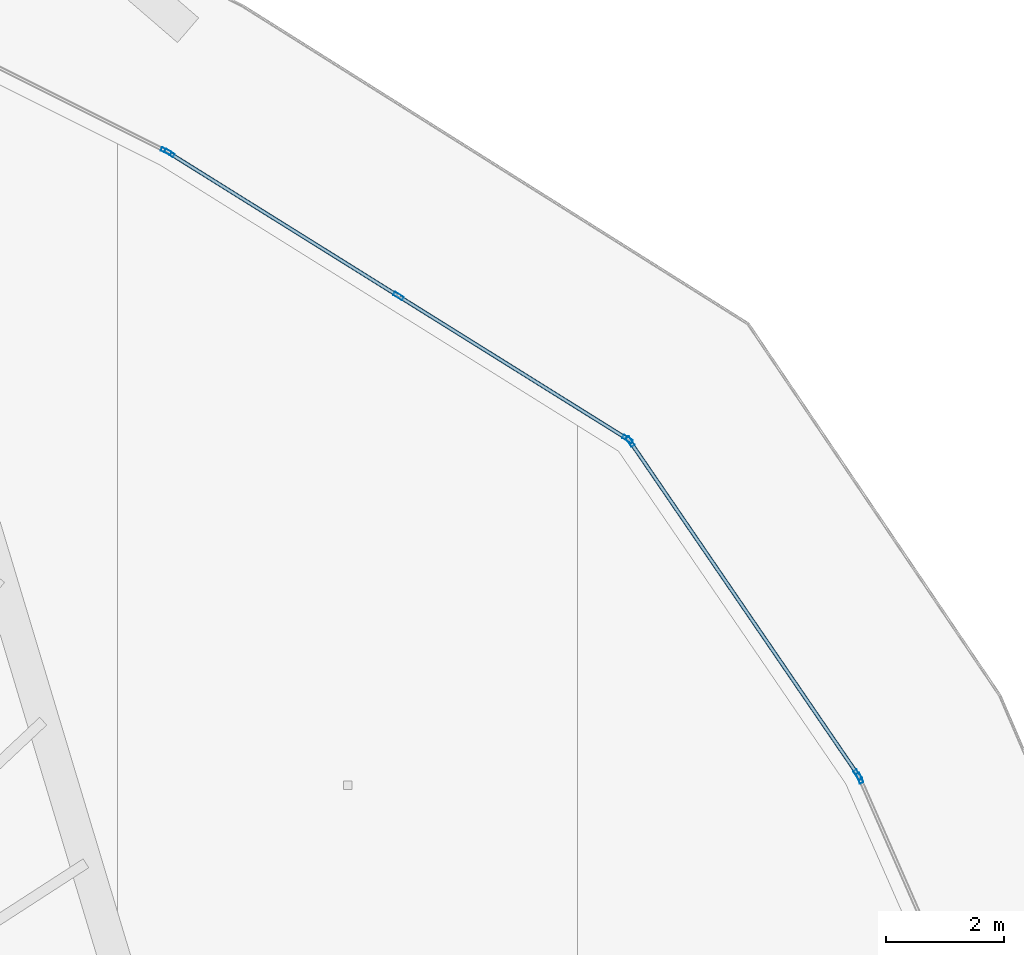
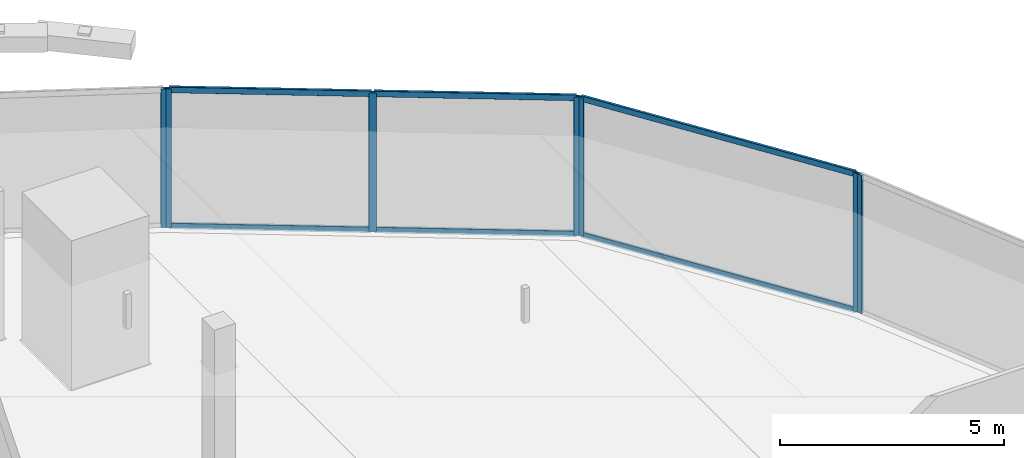
# One storey, part 23 of 42: 13 members, 4 elements without a shape of their own.
"""IFC4 building model written with IfcOpenShell, lengths in metres."""

from ifc_helpers import new_model, si_unit, direction, frame, origin, origin_2d, place, context, subcontext, project, spatial, hollow_rectangle, extrude, material, layer, layer_set, material_profile, profile_set, type_object, element, aggregate, save


model = new_model("IFC4")

# Units and contexts
model_context = context("Model", 3, precision=1e-05, world=origin(), true_north=direction((0.0, 1.0)))
body_context = subcontext(model_context, "Body", "Model", "MODEL_VIEW")
ifc_project = project(units=[si_unit("LENGTHUNIT", "METRE"), si_unit("AREAUNIT", "SQUARE_METRE"), si_unit("VOLUMEUNIT", "CUBIC_METRE"), si_unit("PLANEANGLEUNIT", "RADIAN"), si_unit("MASSUNIT", "GRAM", prefix="KILO")], contexts=[model_context])

# Site, building, storey
site_placement = place(None, origin())
site = spatial("IfcSite", under=ifc_project, at=site_placement, CompositionType="ELEMENT")
building_placement = place(site_placement, origin())
building = spatial("IfcBuilding", under=site, at=building_placement, Name="Qorvath Tower", CompositionType="ELEMENT")
storey_placement = place(building_placement, frame((0.0, 0.0, 117.89990234375)))
storey = spatial("IfcBuildingStorey", under=building, at=storey_placement, Name="L26", CompositionType="ELEMENT", Elevation=117.89990234375)

# Curtain wall, member
ifc_material_1 = material(Name="Anodised aluminium and triple low-E glass", Category="aluminium")
ifc_layer = layer(ifc_material_1, 0.179931640625)
ifc_layer_set = layer_set([ifc_layer], Name="CW-SYS-2")
curtain_wall_type = type_object("IfcCurtainWallType", Name="CW-SYS-2", PredefinedType="NOTDEFINED", material=ifc_layer_set)
curtain_wall_1_placement = place(storey_placement, origin())
curtain_wall_1 = element("IfcCurtainWall", 1, at=curtain_wall_1_placement, inside=storey, type_object=curtain_wall_type, Name="Curtain Wall CW-2 CW-T-L26-12.1", PredefinedType="NOTDEFINED")
ifc_material_2 = material(Name="Anodised aluminium 6063-T6", Category="aluminium")
ifc_material_profile_1 = material_profile(ifc_material_2, hollow_rectangle(XDim=0.06494140625, YDim=0.179931640625, WallThickness=0.00341796875, InnerFilletRadius=0.00341796875, OuterFilletRadius=0.007080078125, at=origin_2d()), Name="CWM 180x65")
ifc_profile_set_1 = profile_set([ifc_material_profile_1], Name="Anodised aluminium 6063-T6")
member_type_1 = type_object("IfcMemberType", Name="CWM-180", PredefinedType="MULLION", material=ifc_profile_set_1)
member_1_placement = place(storey_placement, frame((0.38525390625, 17.982666015625, 0.0), z_axis=(0.0, 0.0, 1.0), x_axis=(-0.915793818987, -0.401648703602, 0.0)))
member_1 = element("IfcMember", 2, at=member_1_placement, type_object=member_type_1, Name="CW-2 mullion 2", PredefinedType="MULLION", context=body_context, shape_type="SweptSolid", body=[
    extrude(hollow_rectangle(XDim=0.06494140625, YDim=0.179931640625, WallThickness=0.00341796875, InnerFilletRadius=0.00341796875, OuterFilletRadius=0.007080078125, at=origin_2d()), origin(), (0.0, 0.0, 1.0), 3.77001953125),
])
aggregate(curtain_wall_1, [member_1])

# Curtain wall, members
curtain_wall_2_placement = place(storey_placement, origin())
curtain_wall_2 = element("IfcCurtainWall", 3, at=curtain_wall_2_placement, inside=storey, type_object=curtain_wall_type, Name="Curtain Wall CW-2 CW-T-L26-13.1", PredefinedType="NOTDEFINED")
member_2_placement = place(storey_placement, frame((0.35400390625, 18.039306640625, 0.0), z_axis=(0.0, 0.0, 1.0), x_axis=(-0.825662865244, -0.564163835208, 0.0)))
member_2 = element("IfcMember", 4, at=member_2_placement, type_object=member_type_1, Name="CW-2 mullion 1", PredefinedType="MULLION", context=body_context, shape_type="SweptSolid", body=[
    extrude(hollow_rectangle(XDim=0.06494140625, YDim=0.179931640625, WallThickness=0.00341796875, InnerFilletRadius=0.00341796875, OuterFilletRadius=0.007080078125, at=origin_2d()), origin(), (0.0, 0.0, 1.0), 3.77001953125),
])
member_3_placement = place(storey_placement, frame((-3.5029296875, 23.683837890625, 0.0), z_axis=(0.0, 0.0, 1.0), x_axis=(-0.825662865244, -0.564163835208, 0.0)))
member_3 = element("IfcMember", 5, at=member_3_placement, type_object=member_type_1, Name="CW-2 mullion 2", PredefinedType="MULLION", context=body_context, shape_type="SweptSolid", body=[
    extrude(hollow_rectangle(XDim=0.06494140625, YDim=0.179931640625, WallThickness=0.00341796875, InnerFilletRadius=0.00341796875, OuterFilletRadius=0.007080078125, at=origin_2d()), origin(), (0.0, 0.0, 1.0), 3.77001953125),
])

curtain_wall_3_placement = place(storey_placement, origin())
curtain_wall_3 = element("IfcCurtainWall", 6, at=curtain_wall_3_placement, inside=storey, type_object=curtain_wall_type, Name="Curtain Wall CW-2 CW-T-L26-14.1", PredefinedType="NOTDEFINED")
member_4_placement = place(storey_placement, frame((-3.548828125, 23.72802734375, 0.0), z_axis=(0.0, 0.0, 1.0), x_axis=(-0.529503324069, -0.84830786263, 0.0)))
member_4 = element("IfcMember", 7, at=member_4_placement, type_object=member_type_1, Name="CW-2 mullion 1", PredefinedType="MULLION", context=body_context, shape_type="SweptSolid", body=[
    extrude(hollow_rectangle(XDim=0.06494140625, YDim=0.179931640625, WallThickness=0.00341796875, InnerFilletRadius=0.00341796875, OuterFilletRadius=0.007080078125, at=origin_2d()), origin(), (0.0, 0.0, 1.0), 3.77001953125),
])
member_5_placement = place(storey_placement, frame((-7.4296875, 26.150390625, 0.0), z_axis=(0.0, 0.0, 1.0), x_axis=(-0.529503324069, -0.84830786263, 0.0)))
member_5 = element("IfcMember", 8, at=member_5_placement, type_object=member_type_1, Name="CW-2 mullion 2", PredefinedType="MULLION", context=body_context, shape_type="SweptSolid", body=[
    extrude(hollow_rectangle(XDim=0.06494140625, YDim=0.179931640625, WallThickness=0.00341796875, InnerFilletRadius=0.00341796875, OuterFilletRadius=0.007080078125, at=origin_2d()), origin(), (0.0, 0.0, 1.0), 3.77001953125),
])
member_6_placement = place(storey_placement, frame((-11.310791015625, 28.572998046875, 0.0), z_axis=(0.0, 0.0, 1.0), x_axis=(-0.529503324069, -0.84830786263, 0.0)))
member_6 = element("IfcMember", 9, at=member_6_placement, type_object=member_type_1, Name="CW-2 mullion 3", PredefinedType="MULLION", context=body_context, shape_type="SweptSolid", body=[
    extrude(hollow_rectangle(XDim=0.06494140625, YDim=0.179931640625, WallThickness=0.00341796875, InnerFilletRadius=0.00341796875, OuterFilletRadius=0.007080078125, at=origin_2d()), origin(), (0.0, 0.0, 1.0), 3.77001953125),
])

# Curtain wall, member
curtain_wall_4_placement = place(storey_placement, origin())
curtain_wall_4 = element("IfcCurtainWall", 10, at=curtain_wall_4_placement, inside=storey, type_object=curtain_wall_type, Name="Curtain Wall CW-2 CW-T-L26-15.1", PredefinedType="NOTDEFINED")
member_7_placement = place(storey_placement, frame((-11.367431640625, 28.604736328125, 0.0), z_axis=(0.0, 0.0, 1.0), x_axis=(-0.447262398188, -0.894402787992, 0.0)))
member_7 = element("IfcMember", 11, at=member_7_placement, type_object=member_type_1, Name="CW-2 mullion 1", PredefinedType="MULLION", context=body_context, shape_type="SweptSolid", body=[
    extrude(hollow_rectangle(XDim=0.06494140625, YDim=0.179931640625, WallThickness=0.00341796875, InnerFilletRadius=0.00341796875, OuterFilletRadius=0.007080078125, at=origin_2d()), origin(), (0.0, 0.0, 1.0), 3.77001953125),
])
aggregate(curtain_wall_4, [member_7])

# Member
ifc_material_3 = material(Name="Anodised aluminium 6063-T6", Category="aluminium")
ifc_material_profile_2 = material_profile(ifc_material_3, hollow_rectangle(XDim=0.06494140625, YDim=0.159912109375, WallThickness=0.00341796875, InnerFilletRadius=0.00341796875, OuterFilletRadius=0.007080078125, at=origin_2d()), Name="CWT 160x65")
ifc_profile_set_2 = profile_set([ifc_material_profile_2], Name="Anodised aluminium 6063-T6")
member_type_2 = type_object("IfcMemberType", Name="CWT-160", PredefinedType="USERDEFINED", material=ifc_profile_set_2)
member_8_placement = place(storey_placement, frame((0.335693359375, 18.066162109375, 0.032470703125), z_axis=(-0.564182312323, 0.825650239788, 0.0), x_axis=(-0.825650239788, -0.564182312323, 0.0)))
member_8 = element("IfcMember", 12, at=member_8_placement, type_object=member_type_2, Name="CW-2 transom 1.1", ObjectType="TRANSOM", PredefinedType="USERDEFINED", context=body_context, shape_type="SweptSolid", body=[
    extrude(hollow_rectangle(XDim=0.06494140625, YDim=0.159912109375, WallThickness=0.00341796875, InnerFilletRadius=0.00341796875, OuterFilletRadius=0.007080078125, at=origin_2d()), origin(), (0.0, 0.0, 1.0), 6.771484375),
])

member_9_placement = place(storey_placement, frame((0.335693359375, 18.066162109375, 3.737548828125), z_axis=(-0.564182312323, 0.825650239788, 0.0), x_axis=(-0.825650239788, -0.564182312323, 0.0)))
member_9 = element("IfcMember", 13, at=member_9_placement, type_object=member_type_2, Name="CW-2 transom 1.2", ObjectType="TRANSOM", PredefinedType="USERDEFINED", context=body_context, shape_type="SweptSolid", body=[
    extrude(hollow_rectangle(XDim=0.06494140625, YDim=0.159912109375, WallThickness=0.00341796875, InnerFilletRadius=0.00341796875, OuterFilletRadius=0.007080078125, at=origin_2d()), origin(), (0.0, 0.0, 1.0), 6.771484375),
])

aggregate(curtain_wall_2, [member_2, member_3, member_8, member_9])

member_10_placement = place(storey_placement, frame((-3.576416015625, 23.7451171875, 0.032470703125), z_axis=(-0.848299237237, 0.529517142407, 0.0), x_axis=(-0.529517142407, -0.848299237237, 0.0)))
member_10 = element("IfcMember", 14, at=member_10_placement, type_object=member_type_2, Name="CW-2 transom 1.1", ObjectType="TRANSOM", PredefinedType="USERDEFINED", context=body_context, shape_type="SweptSolid", body=[
    extrude(hollow_rectangle(XDim=0.06494140625, YDim=0.159912109375, WallThickness=0.00341796875, InnerFilletRadius=0.00341796875, OuterFilletRadius=0.007080078125, at=origin_2d()), origin(), (0.0, 0.0, 1.0), 4.510009765625),
])

member_11_placement = place(storey_placement, frame((-3.576416015625, 23.7451171875, 3.737548828125), z_axis=(-0.848299237237, 0.529517142407, 0.0), x_axis=(-0.529517142407, -0.848299237237, 0.0)))
member_11 = element("IfcMember", 15, at=member_11_placement, type_object=member_type_2, Name="CW-2 transom 1.2", ObjectType="TRANSOM", PredefinedType="USERDEFINED", context=body_context, shape_type="SweptSolid", body=[
    extrude(hollow_rectangle(XDim=0.06494140625, YDim=0.159912109375, WallThickness=0.00341796875, InnerFilletRadius=0.00341796875, OuterFilletRadius=0.007080078125, at=origin_2d()), origin(), (0.0, 0.0, 1.0), 4.510009765625),
])

member_12_placement = place(storey_placement, frame((-7.457275390625, 26.167724609375, 0.032470703125), z_axis=(-0.848323552443, 0.52947818687, 0.0), x_axis=(-0.52947818687, -0.848323552443, 0.0)))
member_12 = element("IfcMember", 16, at=member_12_placement, type_object=member_type_2, Name="CW-2 transom 2.1", ObjectType="TRANSOM", PredefinedType="USERDEFINED", context=body_context, shape_type="SweptSolid", body=[
    extrude(hollow_rectangle(XDim=0.06494140625, YDim=0.159912109375, WallThickness=0.00341796875, InnerFilletRadius=0.00341796875, OuterFilletRadius=0.007080078125, at=origin_2d()), origin(), (0.0, 0.0, 1.0), 4.510009765625),
])

member_13_placement = place(storey_placement, frame((-7.457275390625, 26.167724609375, 3.737548828125), z_axis=(-0.848323552443, 0.52947818687, 0.0), x_axis=(-0.52947818687, -0.848323552443, 0.0)))
member_13 = element("IfcMember", 17, at=member_13_placement, type_object=member_type_2, Name="CW-2 transom 2.2", ObjectType="TRANSOM", PredefinedType="USERDEFINED", context=body_context, shape_type="SweptSolid", body=[
    extrude(hollow_rectangle(XDim=0.06494140625, YDim=0.159912109375, WallThickness=0.00341796875, InnerFilletRadius=0.00341796875, OuterFilletRadius=0.007080078125, at=origin_2d()), origin(), (0.0, 0.0, 1.0), 4.510009765625),
])

aggregate(curtain_wall_3, [member_4, member_5, member_6, member_10, member_11, member_12, member_13])

save(model, "model.ifc")
